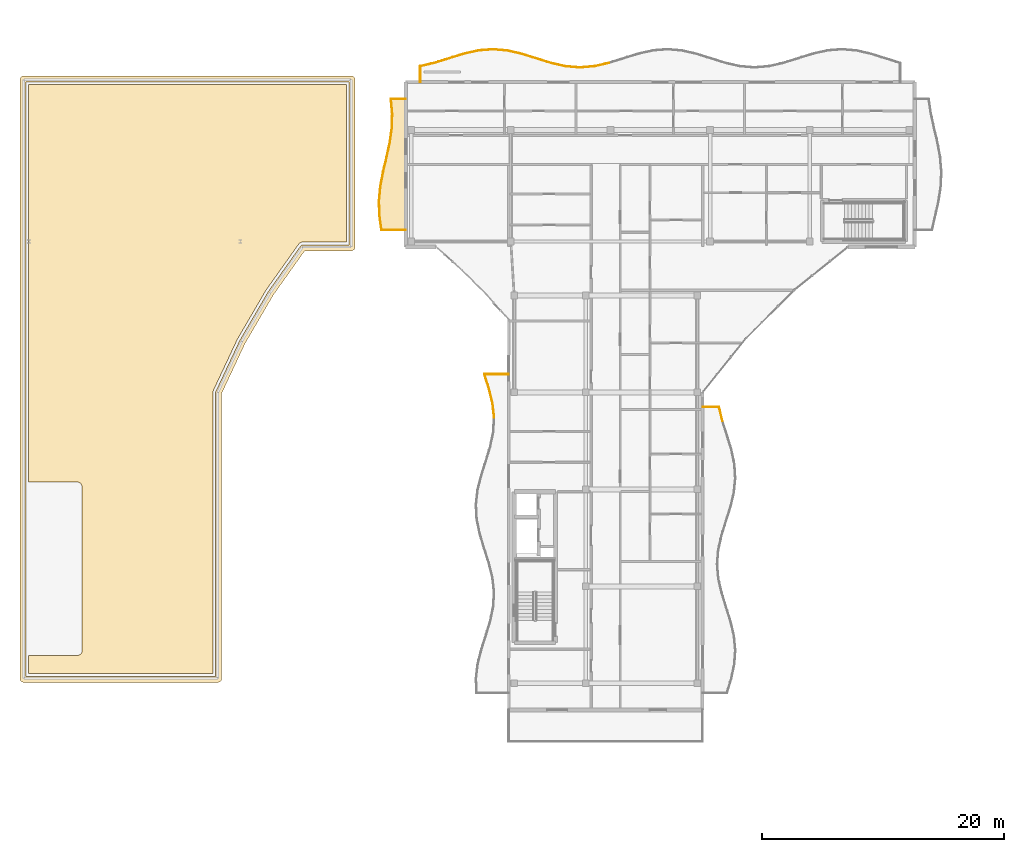
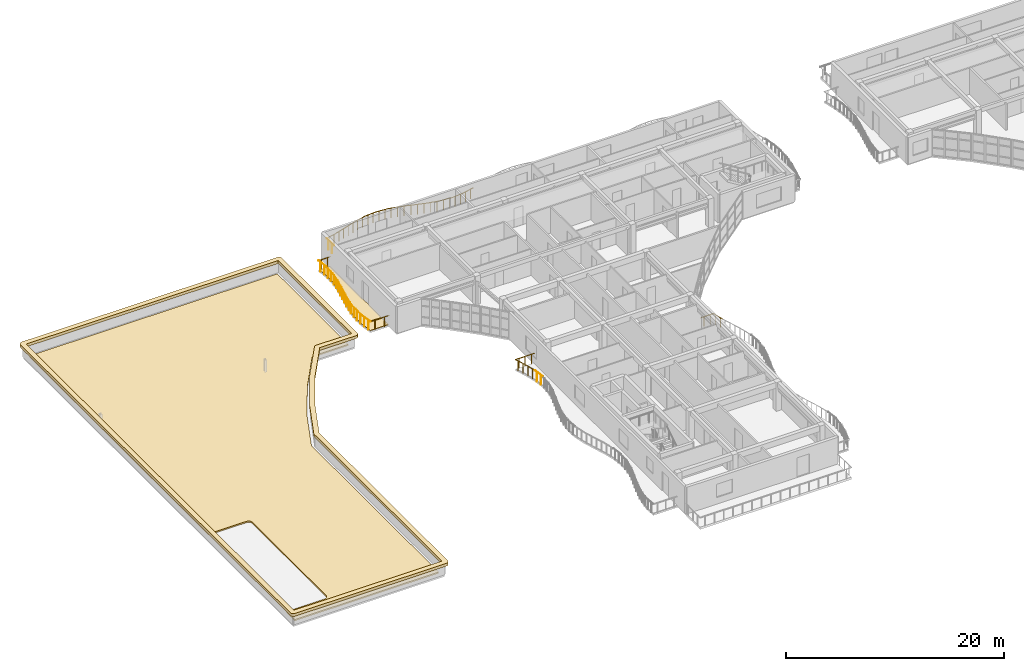
# One storey, part 42 of 54: 31 railings, 3 coverings.
"""IFC4 building model written with IfcOpenShell, lengths in metres."""

from ifc_helpers import new_model, si_unit, direction, frame, origin, origin_2d, place, context, subcontext, project, spatial, polyline, circle, outline, extrude, material, layer, layer_set, type_object, element, save


model = new_model("IFC4")

# Units and contexts
model_context = context("Model", 3, precision=1e-05, world=origin(), true_north=direction((0.0, 1.0)))
body_context = subcontext(model_context, "Body", "Model", "MODEL_VIEW")
ifc_project = project(units=[si_unit("LENGTHUNIT", "METRE"), si_unit("AREAUNIT", "SQUARE_METRE"), si_unit("VOLUMEUNIT", "CUBIC_METRE"), si_unit("PLANEANGLEUNIT", "RADIAN"), si_unit("MASSUNIT", "GRAM", prefix="KILO")], contexts=[model_context])

# Site, building, storey
site_placement = place(None, origin())
site = spatial("IfcSite", under=ifc_project, at=site_placement, CompositionType="ELEMENT")
building_placement = place(site_placement, origin())
building = spatial("IfcBuilding", under=site, at=building_placement, Name="Keldmere Railside Commons", CompositionType="ELEMENT")
storey_placement = place(building_placement, frame((0.0, 0.0, 26.56005859375)))
storey = spatial("IfcBuildingStorey", under=building, at=storey_placement, Name="L08", CompositionType="ELEMENT", Elevation=26.56005859375)

# Railings
ifc_material_1 = material(Name="Steel F-24 (S235)", Category="steel")
railing_type = type_object("IfcRailingType", Name="Balcony & Terrace Steel Balustrade 1100", PredefinedType="BALUSTRADE", material=ifc_material_1)
railing_1_placement = place(storey_placement, frame((40.699951171875, 113.60009765625, 0.0)))
element("IfcRailing", 1, at=railing_1_placement, inside=storey, type_object=railing_type, Name="GR-1 GRD-L08-1637", PredefinedType="BALUSTRADE", context=body_context, shape_type="SweptSolid", body=[
    extrude(circle(Radius=0.02392578125, at=origin_2d()), frame((0.0, 0.0, 1.076171875), z_axis=(0.0, 1.0, 0.0), x_axis=(-1.0, 0.0, 0.0)), (0.0, 0.0, 1.0), 1.3056640625),
    extrude(circle(Radius=0.02099609375, at=origin_2d()), frame((0.0, 0.326416015625, 0.0)), (0.0, 0.0, 1.0), 1.048095703125),
    extrude(circle(Radius=0.02099609375, at=origin_2d()), frame((0.0, 0.979248046875, 0.0)), (0.0, 0.0, 1.0), 1.048095703125),
])
railing_2_placement = place(storey_placement, frame((40.699951171875, 114.90576171875, 0.0)))
element("IfcRailing", 2, at=railing_2_placement, inside=storey, type_object=railing_type, Name="GR-1 GRD-L08-1638", PredefinedType="BALUSTRADE", context=body_context, shape_type="SweptSolid", body=[
    extrude(circle(Radius=0.02392578125, at=origin_2d()), frame((0.0, 0.0, 1.076171875), z_axis=(0.974140060528, 0.22594499878, 0.0), x_axis=(-0.22594499878, 0.974140060528, 0.0)), (0.0, 0.0, 1.0), 1.231689453125),
    extrude(circle(Radius=0.02099609375, at=origin_2d()), frame((0.300048828125, 0.069580078125, 0.0)), (0.0, 0.0, 1.0), 1.048095703125),
    extrude(circle(Radius=0.02099609375, at=origin_2d()), frame((0.89990234375, 0.208740234375, 0.0)), (0.0, 0.0, 1.0), 1.048095703125),
])
railing_3_placement = place(storey_placement, frame((41.89990234375, 115.18408203125, 0.0)))
element("IfcRailing", 3, at=railing_3_placement, inside=storey, type_object=railing_type, Name="GR-1 GRD-L08-1639", PredefinedType="BALUSTRADE", context=body_context, shape_type="SweptSolid", body=[
    extrude(circle(Radius=0.02392578125, at=origin_2d()), frame((0.0, 0.0, 1.076171875), z_axis=(0.954161704015, 0.299291567858, 0.0), x_axis=(-0.299291567858, 0.954161704015, 0.0)), (0.0, 0.0, 1.0), 1.2578125),
    extrude(circle(Radius=0.02099609375, at=origin_2d()), frame((0.300048828125, 0.09423828125, 0.0)), (0.0, 0.0, 1.0), 1.048095703125),
    extrude(circle(Radius=0.02099609375, at=origin_2d()), frame((0.900146484375, 0.2822265625, 0.0)), (0.0, 0.0, 1.0), 1.048095703125),
])
railing_4_placement = place(storey_placement, frame((43.10009765625, 115.560546875, 0.0)))
element("IfcRailing", 4, at=railing_4_placement, inside=storey, type_object=railing_type, Name="GR-1 GRD-L08-1640", PredefinedType="BALUSTRADE", context=body_context, shape_type="SweptSolid", body=[
    extrude(circle(Radius=0.02392578125, at=origin_2d()), frame((0.0, 0.0, 1.076171875), z_axis=(0.954807781872, 0.297223989067, 0.0), x_axis=(-0.297223989067, 0.954807781872, 0.0)), (0.0, 0.0, 1.0), 1.2568359375),
    extrude(circle(Radius=0.02099609375, at=origin_2d()), frame((0.300048828125, 0.09326171875, 0.0)), (0.0, 0.0, 1.0), 1.048095703125),
    extrude(circle(Radius=0.02099609375, at=origin_2d()), frame((0.89990234375, 0.2802734375, 0.0)), (0.0, 0.0, 1.0), 1.048095703125),
])
railing_5_placement = place(storey_placement, frame((44.300048828125, 115.93408203125, 0.0)))
element("IfcRailing", 5, at=railing_5_placement, inside=storey, type_object=railing_type, Name="GR-1 GRD-L08-1641", PredefinedType="BALUSTRADE", context=body_context, shape_type="SweptSolid", body=[
    extrude(circle(Radius=0.02392578125, at=origin_2d()), frame((0.0, 0.0, 1.076171875), z_axis=(0.975519348897, 0.219913619243, 0.0), x_axis=(-0.219913619243, 0.975519348897, 0.0)), (0.0, 0.0, 1.0), 1.22998046875),
    extrude(circle(Radius=0.02099609375, at=origin_2d()), frame((0.300048828125, 0.067626953125, 0.0)), (0.0, 0.0, 1.0), 1.048095703125),
    extrude(circle(Radius=0.02099609375, at=origin_2d()), frame((0.89990234375, 0.202880859375, 0.0)), (0.0, 0.0, 1.0), 1.048095703125),
])
railing_6_placement = place(storey_placement, frame((45.5, 116.20458984375, 0.0)))
element("IfcRailing", 6, at=railing_6_placement, inside=storey, type_object=railing_type, Name="GR-1 GRD-L08-1642", PredefinedType="BALUSTRADE", context=body_context, shape_type="SweptSolid", body=[
    extrude(circle(Radius=0.02392578125, at=origin_2d()), frame((0.0, 0.0, 1.076171875), z_axis=(0.996866661985, 0.079100304817, 0.0), x_axis=(-0.079100304817, 0.996866661985, 0.0)), (0.0, 0.0, 1.0), 1.20361328125),
    extrude(circle(Radius=0.02099609375, at=origin_2d()), frame((0.300048828125, 0.02392578125, 0.0)), (0.0, 0.0, 1.0), 1.048095703125),
    extrude(circle(Radius=0.02099609375, at=origin_2d()), frame((0.89990234375, 0.0712890625, 0.0)), (0.0, 0.0, 1.0), 1.048095703125),
])
railing_7_placement = place(storey_placement, frame((46.699951171875, 116.2998046875, 0.0)))
element("IfcRailing", 7, at=railing_7_placement, inside=storey, type_object=railing_type, Name="GR-1 GRD-L08-1643", PredefinedType="BALUSTRADE", context=body_context, shape_type="SweptSolid", body=[
    extrude(circle(Radius=0.02392578125, at=origin_2d()), frame((0.0, 0.0, 1.076171875), z_axis=(0.996141844593, -0.08775776576, 0.0), x_axis=(0.08775776576, 0.996141844593, 0.0)), (0.0, 0.0, 1.0), 1.20458984375),
    extrude(circle(Radius=0.02099609375, at=origin_2d()), frame((0.300048828125, -0.0263671875, 0.0)), (0.0, 0.0, 1.0), 1.048095703125),
    extrude(circle(Radius=0.02099609375, at=origin_2d()), frame((0.89990234375, -0.079345703125, 0.0)), (0.0, 0.0, 1.0), 1.048095703125),
])
railing_8_placement = place(storey_placement, frame((47.89990234375, 116.194091796875, 0.0)))
element("IfcRailing", 8, at=railing_8_placement, inside=storey, type_object=railing_type, Name="GR-1 GRD-L08-1644", PredefinedType="BALUSTRADE", context=body_context, shape_type="SweptSolid", body=[
    extrude(circle(Radius=0.02392578125, at=origin_2d()), frame((0.0, 0.0, 1.076171875), z_axis=(0.974193766865, -0.225713323934, 0.0), x_axis=(0.225713323934, 0.974193766865, 0.0)), (0.0, 0.0, 1.0), 1.23193359375),
    extrude(circle(Radius=0.02099609375, at=origin_2d()), frame((0.300048828125, -0.069580078125, 0.0)), (0.0, 0.0, 1.0), 1.048095703125),
    extrude(circle(Radius=0.02099609375, at=origin_2d()), frame((0.900146484375, -0.20849609375, 0.0)), (0.0, 0.0, 1.0), 1.048095703125),
])
railing_9_placement = place(storey_placement, frame((49.10009765625, 115.916015625, 0.0)))
element("IfcRailing", 9, at=railing_9_placement, inside=storey, type_object=railing_type, Name="GR-1 GRD-L08-1645", PredefinedType="BALUSTRADE", context=body_context, shape_type="SweptSolid", body=[
    extrude(circle(Radius=0.02392578125, at=origin_2d()), frame((0.0, 0.0, 1.076171875), z_axis=(0.954144313208, -0.299347005283, 0.0), x_axis=(0.299347005283, 0.954144313208, 0.0)), (0.0, 0.0, 1.0), 1.257568359375),
    extrude(circle(Radius=0.02099609375, at=origin_2d()), frame((0.300048828125, -0.09423828125, 0.0)), (0.0, 0.0, 1.0), 1.048095703125),
    extrude(circle(Radius=0.02099609375, at=origin_2d()), frame((0.89990234375, -0.2822265625, 0.0)), (0.0, 0.0, 1.0), 1.048095703125),
])
railing_10_placement = place(storey_placement, frame((50.300048828125, 115.53955078125, 0.0)))
element("IfcRailing", 10, at=railing_10_placement, inside=storey, type_object=railing_type, Name="GR-1 GRD-L08-1646", PredefinedType="BALUSTRADE", context=body_context, shape_type="SweptSolid", body=[
    extrude(circle(Radius=0.02392578125, at=origin_2d()), frame((0.0, 0.0, 1.076171875), z_axis=(0.954807781872, -0.297223989067, 0.0), x_axis=(0.297223989067, 0.954807781872, 0.0)), (0.0, 0.0, 1.0), 1.2568359375),
    extrude(circle(Radius=0.02099609375, at=origin_2d()), frame((0.300048828125, -0.09326171875, 0.0)), (0.0, 0.0, 1.0), 1.048095703125),
    extrude(circle(Radius=0.02099609375, at=origin_2d()), frame((0.89990234375, -0.2802734375, 0.0)), (0.0, 0.0, 1.0), 1.048095703125),
])
railing_11_placement = place(storey_placement, frame((51.5, 115.166015625, 0.0)))
element("IfcRailing", 11, at=railing_11_placement, inside=storey, type_object=railing_type, Name="GR-1 GRD-L08-1647", PredefinedType="BALUSTRADE", context=body_context, shape_type="SweptSolid", body=[
    extrude(circle(Radius=0.02392578125, at=origin_2d()), frame((0.0, 0.0, 1.076171875), z_axis=(0.97547675299, -0.220102486076, 0.0), x_axis=(0.220102486076, 0.97547675299, 0.0)), (0.0, 0.0, 1.0), 1.230224609375),
    extrude(circle(Radius=0.02099609375, at=origin_2d()), frame((0.300048828125, -0.067626953125, 0.0)), (0.0, 0.0, 1.0), 1.048095703125),
    extrude(circle(Radius=0.02099609375, at=origin_2d()), frame((0.89990234375, -0.203125, 0.0)), (0.0, 0.0, 1.0), 1.048095703125),
])
railing_12_placement = place(storey_placement, frame((52.699951171875, 114.895263671875, 0.0)))
element("IfcRailing", 12, at=railing_12_placement, inside=storey, type_object=railing_type, Name="GR-1 GRD-L08-1648", PredefinedType="BALUSTRADE", context=body_context, shape_type="SweptSolid", body=[
    extrude(circle(Radius=0.02392578125, at=origin_2d()), frame((0.0, 0.0, 1.076171875), z_axis=(0.996866661985, -0.079100304817, 0.0), x_axis=(0.079100304817, 0.996866661985, 0.0)), (0.0, 0.0, 1.0), 1.20361328125),
    extrude(circle(Radius=0.02099609375, at=origin_2d()), frame((0.300048828125, -0.02392578125, 0.0)), (0.0, 0.0, 1.0), 1.048095703125),
    extrude(circle(Radius=0.02099609375, at=origin_2d()), frame((0.89990234375, -0.0712890625, 0.0)), (0.0, 0.0, 1.0), 1.048095703125),
])
railing_13_placement = place(storey_placement, frame((53.89990234375, 114.800048828125, 0.0)))
element("IfcRailing", 13, at=railing_13_placement, inside=storey, type_object=railing_type, Name="GR-1 GRD-L08-1649", PredefinedType="BALUSTRADE", context=body_context, shape_type="SweptSolid", body=[
    extrude(circle(Radius=0.02392578125, at=origin_2d()), frame((0.0, 0.0, 1.076171875), z_axis=(0.996143404998, 0.087740051742, 0.0), x_axis=(-0.087740051742, 0.996143404998, 0.0)), (0.0, 0.0, 1.0), 1.204833984375),
    extrude(circle(Radius=0.02099609375, at=origin_2d()), frame((0.300048828125, 0.0263671875, 0.0)), (0.0, 0.0, 1.0), 1.048095703125),
    extrude(circle(Radius=0.02099609375, at=origin_2d()), frame((0.900146484375, 0.079345703125, 0.0)), (0.0, 0.0, 1.0), 1.048095703125),
])
railing_14_placement = place(storey_placement, frame((55.10009765625, 114.90576171875, 0.0)))
element("IfcRailing", 14, at=railing_14_placement, inside=storey, type_object=railing_type, Name="GR-1 GRD-L08-1650", PredefinedType="BALUSTRADE", context=body_context, shape_type="SweptSolid", body=[
    extrude(circle(Radius=0.02392578125, at=origin_2d()), frame((0.0, 0.0, 1.076171875), z_axis=(0.974140060528, 0.22594499878, 0.0), x_axis=(-0.22594499878, 0.974140060528, 0.0)), (0.0, 0.0, 1.0), 1.231689453125),
    extrude(circle(Radius=0.02099609375, at=origin_2d()), frame((0.300048828125, 0.069580078125, 0.0)), (0.0, 0.0, 1.0), 1.048095703125),
    extrude(circle(Radius=0.02099609375, at=origin_2d()), frame((0.89990234375, 0.208740234375, 0.0)), (0.0, 0.0, 1.0), 1.048095703125),
])
railing_15_placement = place(storey_placement, frame((65.64111328125, 85.6201171875, 0.0)))
element("IfcRailing", 15, at=railing_15_placement, inside=storey, type_object=railing_type, Name="GR-1 GRD-L08-1692", PredefinedType="BALUSTRADE", context=body_context, shape_type="SweptSolid", body=[
    extrude(circle(Radius=0.02392578125, at=origin_2d()), frame((0.0, 0.0, 1.076171875), z_axis=(-0.243810240423, 0.969822956351, 0.0), x_axis=(-0.969822956351, -0.243810240423, 0.0)), (0.0, 0.0, 1.0), 1.216552734375),
    extrude(circle(Radius=0.02099609375, at=origin_2d()), frame((-0.07421875, 0.294921875, 0.0)), (0.0, 0.0, 1.0), 1.048095703125),
    extrude(circle(Radius=0.02099609375, at=origin_2d()), frame((-0.222412109375, 0.885009765625, 0.0)), (0.0, 0.0, 1.0), 1.048095703125),
])
railing_16_placement = place(storey_placement, frame((65.344482421875, 86.800048828125, 0.0)))
element("IfcRailing", 16, at=railing_16_placement, inside=storey, type_object=railing_type, Name="GR-1 GRD-L08-1693", PredefinedType="BALUSTRADE", context=body_context, shape_type="SweptSolid", body=[
    extrude(circle(Radius=0.02392578125, at=origin_2d()), frame((0.0, 0.0, 1.076171875), z_axis=(-1.0, 0.0, 0.0), x_axis=(0.0, -1.0, 0.0)), (0.0, 0.0, 1.0), 1.344482421875),
    extrude(circle(Radius=0.02099609375, at=origin_2d()), frame((-0.336181640625, 0.0, 0.0)), (0.0, 0.0, 1.0), 1.048095703125),
    extrude(circle(Radius=0.02099609375, at=origin_2d()), frame((-1.00830078125, 0.0, 0.0)), (0.0, 0.0, 1.0), 1.048095703125),
])
railing_17_placement = place(storey_placement, frame((46.797607421875, 85.91357421875, 0.0)))
element("IfcRailing", 17, at=railing_17_placement, inside=storey, type_object=railing_type, Name="GR-1 GRD-L08-1714", PredefinedType="BALUSTRADE", context=body_context, shape_type="SweptSolid", body=[
    extrude(circle(Radius=0.02392578125, at=origin_2d()), frame((0.0, 0.0, 1.076171875), z_axis=(-0.108203115049, 0.994128807496, 0.0), x_axis=(-0.994128807496, -0.108203115049, 0.0)), (0.0, 0.0, 1.0), 1.20263671875),
    extrude(circle(Radius=0.02099609375, at=origin_2d()), frame((-0.032470703125, 0.298828125, 0.0)), (0.0, 0.0, 1.0), 1.048095703125),
    extrude(circle(Radius=0.02099609375, at=origin_2d()), frame((-0.09765625, 0.896728515625, 0.0)), (0.0, 0.0, 1.0), 1.048095703125),
])
railing_18_placement = place(storey_placement, frame((46.66748046875, 87.109130859375, 0.0)))
element("IfcRailing", 18, at=railing_18_placement, inside=storey, type_object=railing_type, Name="GR-1 GRD-L08-1715", PredefinedType="BALUSTRADE", context=body_context, shape_type="SweptSolid", body=[
    extrude(circle(Radius=0.02392578125, at=origin_2d()), frame((0.0, 0.0, 1.076171875), z_axis=(-0.238987400978, 0.971022668208, 0.0), x_axis=(-0.971022668208, -0.238987400978, 0.0)), (0.0, 0.0, 1.0), 1.23095703125),
    extrude(circle(Radius=0.02099609375, at=origin_2d()), frame((-0.073486328125, 0.298828125, 0.0)), (0.0, 0.0, 1.0), 1.048095703125),
    extrude(circle(Radius=0.02099609375, at=origin_2d()), frame((-0.220703125, 0.896484375, 0.0)), (0.0, 0.0, 1.0), 1.048095703125),
])
railing_19_placement = place(storey_placement, frame((46.373291015625, 88.304443359375, 0.0)))
element("IfcRailing", 19, at=railing_19_placement, inside=storey, type_object=railing_type, Name="GR-1 GRD-L08-1716", PredefinedType="BALUSTRADE", context=body_context, shape_type="SweptSolid", body=[
    extrude(circle(Radius=0.02392578125, at=origin_2d()), frame((0.0, 0.0, 1.076171875), z_axis=(-0.303002836741, 0.952989654155, 0.0), x_axis=(-0.952989654155, -0.303002836741, 0.0)), (0.0, 0.0, 1.0), 1.254638671875),
    extrude(circle(Radius=0.02099609375, at=origin_2d()), frame((-0.094970703125, 0.298828125, 0.0)), (0.0, 0.0, 1.0), 1.048095703125),
    extrude(circle(Radius=0.02099609375, at=origin_2d()), frame((-0.28515625, 0.896728515625, 0.0)), (0.0, 0.0, 1.0), 1.048095703125),
])
railing_20_placement = place(storey_placement, frame((45.9931640625, 89.5, 0.0)))
element("IfcRailing", 20, at=railing_20_placement, inside=storey, type_object=railing_type, Name="GR-1 GRD-L08-1717", PredefinedType="BALUSTRADE", context=body_context, shape_type="SweptSolid", body=[
    extrude(circle(Radius=0.02392578125, at=origin_2d()), frame((0.0, 0.0, 1.076171875), z_axis=(1.0, 0.0, 0.0), x_axis=(0.0, 1.0, 0.0)), (0.0, 0.0, 1.0), 2.0068359375),
    extrude(circle(Radius=0.02099609375, at=origin_2d()), frame((0.33447265625, 0.0, 0.0)), (0.0, 0.0, 1.0), 1.048095703125),
    extrude(circle(Radius=0.02099609375, at=origin_2d()), frame((1.00341796875, 0.0, 0.0)), (0.0, 0.0, 1.0), 1.048095703125),
    extrude(circle(Radius=0.02099609375, at=origin_2d()), frame((1.67236328125, 0.0, 0.0)), (0.0, 0.0, 1.0), 1.048095703125),
])
railing_21_placement = place(storey_placement, frame((39.5, 101.39990234375, 0.0)))
element("IfcRailing", 21, at=railing_21_placement, inside=storey, type_object=railing_type, Name="GR-1 GRD-L08-1729", PredefinedType="BALUSTRADE", context=body_context, shape_type="SweptSolid", body=[
    extrude(circle(Radius=0.02392578125, at=origin_2d()), frame((0.0, 0.0, 1.076171875), z_axis=(-1.0, 0.0, 0.0), x_axis=(0.0, -1.0, 0.0)), (0.0, 0.0, 1.0), 1.990234375),
    extrude(circle(Radius=0.02099609375, at=origin_2d()), frame((-0.49755859375, 0.0, 0.0)), (0.0, 0.0, 1.0), 1.048095703125),
    extrude(circle(Radius=0.02099609375, at=origin_2d()), frame((-1.49267578125, 0.0, 0.0)), (0.0, 0.0, 1.0), 1.048095703125),
])
railing_22_placement = place(storey_placement, frame((37.509765625, 101.39990234375, 0.0)))
element("IfcRailing", 22, at=railing_22_placement, inside=storey, type_object=railing_type, Name="GR-1 GRD-L08-1730", PredefinedType="BALUSTRADE", context=body_context, shape_type="SweptSolid", body=[
    extrude(circle(Radius=0.02392578125, at=origin_2d()), frame((0.0, 0.0, 1.076171875), z_axis=(-0.140575435231, 0.990069970765, 0.0), x_axis=(-0.990069970765, -0.140575435231, 0.0)), (0.0, 0.0, 1.0), 1.212158203125),
    extrude(circle(Radius=0.02099609375, at=origin_2d()), frame((-0.04248046875, 0.300048828125, 0.0)), (0.0, 0.0, 1.0), 1.048095703125),
    extrude(circle(Radius=0.02099609375, at=origin_2d()), frame((-0.1279296875, 0.900146484375, 0.0)), (0.0, 0.0, 1.0), 1.048095703125),
])
railing_23_placement = place(storey_placement, frame((37.33935546875, 102.60009765625, 0.0)))
element("IfcRailing", 23, at=railing_23_placement, inside=storey, type_object=railing_type, Name="GR-1 GRD-L08-1731", PredefinedType="BALUSTRADE", context=body_context, shape_type="SweptSolid", body=[
    extrude(circle(Radius=0.02392578125, at=origin_2d()), frame((0.0, 0.0, 1.076171875), z_axis=(-0.02806625371, 0.999606065109, 0.0), x_axis=(-0.999606065109, -0.02806625371, 0.0)), (0.0, 0.0, 1.0), 1.200439453125),
    extrude(circle(Radius=0.02099609375, at=origin_2d()), frame((-0.00830078125, 0.300048828125, 0.0)), (0.0, 0.0, 1.0), 1.048095703125),
    extrude(circle(Radius=0.02099609375, at=origin_2d()), frame((-0.025390625, 0.89990234375, 0.0)), (0.0, 0.0, 1.0), 1.048095703125),
])
railing_24_placement = place(storey_placement, frame((37.3056640625, 103.800048828125, 0.0)))
element("IfcRailing", 24, at=railing_24_placement, inside=storey, type_object=railing_type, Name="GR-1 GRD-L08-1732", PredefinedType="BALUSTRADE", context=body_context, shape_type="SweptSolid", body=[
    extrude(circle(Radius=0.02392578125, at=origin_2d()), frame((0.0, 0.0, 1.076171875), z_axis=(0.092983005579, 0.995667695907, 0.0), x_axis=(-0.995667695907, 0.092983005579, 0.0)), (0.0, 0.0, 1.0), 1.205078125),
    extrude(circle(Radius=0.02099609375, at=origin_2d()), frame((0.028076171875, 0.300048828125, 0.0)), (0.0, 0.0, 1.0), 1.048095703125),
    extrude(circle(Radius=0.02099609375, at=origin_2d()), frame((0.083984375, 0.89990234375, 0.0)), (0.0, 0.0, 1.0), 1.048095703125),
])
railing_25_placement = place(storey_placement, frame((37.417724609375, 105.0, 0.0)))
element("IfcRailing", 25, at=railing_25_placement, inside=storey, type_object=railing_type, Name="GR-1 GRD-L08-1733", PredefinedType="BALUSTRADE", context=body_context, shape_type="SweptSolid", body=[
    extrude(circle(Radius=0.02392578125, at=origin_2d()), frame((0.0, 0.0, 1.076171875), z_axis=(0.186689583361, 0.982418953128, 0.0), x_axis=(-0.982418953128, 0.186689583361, 0.0)), (0.0, 0.0, 1.0), 1.221435546875),
    extrude(circle(Radius=0.02099609375, at=origin_2d()), frame((0.05712890625, 0.300048828125, 0.0)), (0.0, 0.0, 1.0), 1.048095703125),
    extrude(circle(Radius=0.02099609375, at=origin_2d()), frame((0.1708984375, 0.89990234375, 0.0)), (0.0, 0.0, 1.0), 1.048095703125),
])
railing_26_placement = place(storey_placement, frame((37.645751953125, 106.199951171875, 0.0)))
element("IfcRailing", 26, at=railing_26_placement, inside=storey, type_object=railing_type, Name="GR-1 GRD-L08-1734", PredefinedType="BALUSTRADE", context=body_context, shape_type="SweptSolid", body=[
    extrude(circle(Radius=0.02392578125, at=origin_2d()), frame((0.0, 0.0, 1.076171875), z_axis=(0.22932631443, 0.973349598813, 0.0), x_axis=(-0.973349598813, 0.22932631443, 0.0)), (0.0, 0.0, 1.0), 1.23291015625),
    extrude(circle(Radius=0.02099609375, at=origin_2d()), frame((0.07080078125, 0.300048828125, 0.0)), (0.0, 0.0, 1.0), 1.048095703125),
    extrude(circle(Radius=0.02099609375, at=origin_2d()), frame((0.2119140625, 0.89990234375, 0.0)), (0.0, 0.0, 1.0), 1.048095703125),
])
railing_27_placement = place(storey_placement, frame((37.928466796875, 107.39990234375, 0.0)))
element("IfcRailing", 27, at=railing_27_placement, inside=storey, type_object=railing_type, Name="GR-1 GRD-L08-1735", PredefinedType="BALUSTRADE", context=body_context, shape_type="SweptSolid", body=[
    extrude(circle(Radius=0.02392578125, at=origin_2d()), frame((0.0, 0.0, 1.076171875), z_axis=(0.213056693745, 0.977039838108, 0.0), x_axis=(-0.977039838108, 0.213056693745, 0.0)), (0.0, 0.0, 1.0), 1.228515625),
    extrude(circle(Radius=0.02099609375, at=origin_2d()), frame((0.0654296875, 0.300048828125, 0.0)), (0.0, 0.0, 1.0), 1.048095703125),
    extrude(circle(Radius=0.02099609375, at=origin_2d()), frame((0.1962890625, 0.900146484375, 0.0)), (0.0, 0.0, 1.0), 1.048095703125),
])
railing_28_placement = place(storey_placement, frame((38.190185546875, 108.60009765625, 0.0)))
element("IfcRailing", 28, at=railing_28_placement, inside=storey, type_object=railing_type, Name="GR-1 GRD-L08-1736", PredefinedType="BALUSTRADE", context=body_context, shape_type="SweptSolid", body=[
    extrude(circle(Radius=0.02392578125, at=origin_2d()), frame((0.0, 0.0, 1.076171875), z_axis=(0.140603471167, 0.990065989667, 0.0), x_axis=(-0.990065989667, 0.140603471167, 0.0)), (0.0, 0.0, 1.0), 1.2119140625),
    extrude(circle(Radius=0.02099609375, at=origin_2d()), frame((0.04248046875, 0.300048828125, 0.0)), (0.0, 0.0, 1.0), 1.048095703125),
    extrude(circle(Radius=0.02099609375, at=origin_2d()), frame((0.1279296875, 0.89990234375, 0.0)), (0.0, 0.0, 1.0), 1.048095703125),
])
railing_29_placement = place(storey_placement, frame((38.360595703125, 109.800048828125, 0.0)))
element("IfcRailing", 29, at=railing_29_placement, inside=storey, type_object=railing_type, Name="GR-1 GRD-L08-1737", PredefinedType="BALUSTRADE", context=body_context, shape_type="SweptSolid", body=[
    extrude(circle(Radius=0.02392578125, at=origin_2d()), frame((0.0, 0.0, 1.076171875), z_axis=(0.02806625371, 0.999606065109, 0.0), x_axis=(-0.999606065109, 0.02806625371, 0.0)), (0.0, 0.0, 1.0), 1.200439453125),
    extrude(circle(Radius=0.02099609375, at=origin_2d()), frame((0.00830078125, 0.300048828125, 0.0)), (0.0, 0.0, 1.0), 1.048095703125),
    extrude(circle(Radius=0.02099609375, at=origin_2d()), frame((0.025390625, 0.89990234375, 0.0)), (0.0, 0.0, 1.0), 1.048095703125),
])
railing_30_placement = place(storey_placement, frame((38.394287109375, 111.0, 0.0)))
element("IfcRailing", 30, at=railing_30_placement, inside=storey, type_object=railing_type, Name="GR-1 GRD-L08-1738", PredefinedType="BALUSTRADE", context=body_context, shape_type="SweptSolid", body=[
    extrude(circle(Radius=0.02392578125, at=origin_2d()), frame((0.0, 0.0, 1.076171875), z_axis=(-0.092983005579, 0.995667695907, 0.0), x_axis=(-0.995667695907, -0.092983005579, 0.0)), (0.0, 0.0, 1.0), 1.205078125),
    extrude(circle(Radius=0.02099609375, at=origin_2d()), frame((-0.028076171875, 0.300048828125, 0.0)), (0.0, 0.0, 1.0), 1.048095703125),
    extrude(circle(Radius=0.02099609375, at=origin_2d()), frame((-0.083984375, 0.89990234375, 0.0)), (0.0, 0.0, 1.0), 1.048095703125),
])
railing_31_placement = place(storey_placement, frame((38.2822265625, 112.199951171875, 0.0)))
element("IfcRailing", 31, at=railing_31_placement, inside=storey, type_object=railing_type, Name="GR-1 GRD-L08-1739", PredefinedType="BALUSTRADE", context=body_context, shape_type="SweptSolid", body=[
    extrude(circle(Radius=0.02392578125, at=origin_2d()), frame((0.0, 0.0, 1.076171875), z_axis=(1.0, 0.0, 0.0), x_axis=(0.0, 1.0, 0.0)), (0.0, 0.0, 1.0), 1.2177734375),
    extrude(circle(Radius=0.02099609375, at=origin_2d()), frame((0.304443359375, 0.0, 0.0)), (0.0, 0.0, 1.0), 1.048095703125),
    extrude(circle(Radius=0.02099609375, at=origin_2d()), frame((0.913330078125, 0.0, 0.0)), (0.0, 0.0, 1.0), 1.048095703125),
])

# Coverings
ifc_material_2 = material(Name="Native Planted Green-Roof Substrate", Category="earth")
ifc_layer_1 = layer(ifc_material_2, 0.14990234375, Name="Native Green-Roof Planted Substrate 150")
ifc_layer_set_1 = layer_set([ifc_layer_1], Name="Native Planted Green-Roof Substrate")
covering_type_1 = type_object("IfcCoveringType", Name="Native Green-Roof Planted Substrate 150", PredefinedType="ROOFING", material=ifc_layer_set_1)
covering_1_placement = place(storey_placement, origin())
element("IfcCovering", 32, at=covering_1_placement, inside=storey, type_object=covering_type_1, Name="Roof Green Substrate Block D", PredefinedType="ROOFING", context=body_context, shape_type="SweptSolid", body=[
    extrude(outline(polyline([(8.39990234375, 80.60009765625), (12.39990234375, 80.60009765625), (12.439208984375, 80.59814453125), (12.47802734375, 80.59228515625), (12.51611328125, 80.582763671875), (12.552978515625, 80.569580078125), (12.588623046875, 80.552734375), (12.622314453125, 80.53271484375), (12.65380859375, 80.50927734375), (12.682861328125, 80.48291015625), (12.709228515625, 80.453857421875), (12.732666015625, 80.422119140625), (12.752685546875, 80.388671875), (12.76953125, 80.35302734375), (12.78271484375, 80.316162109375), (12.792236328125, 80.278076171875), (12.798095703125, 80.2392578125), (12.800048828125, 80.199951171875), (12.800048828125, 66.699951171875), (12.798095703125, 66.660888671875), (12.792236328125, 66.6220703125), (12.78271484375, 66.583984375), (12.76953125, 66.546875), (12.752685546875, 66.511474609375), (12.732666015625, 66.477783203125), (12.709228515625, 66.4462890625), (12.682861328125, 66.417236328125), (12.65380859375, 66.390869140625), (12.622314453125, 66.367431640625), (12.588623046875, 66.34716796875), (12.552978515625, 66.330322265625), (12.51611328125, 66.317138671875), (12.47802734375, 66.3076171875), (12.439208984375, 66.302001953125), (12.39990234375, 66.300048828125), (8.39990234375, 66.300048828125), (8.39990234375, 64.800048828125), (23.60009765625, 64.800048828125), (23.60009765625, 88.0), (23.602294921875, 88.043701171875), (23.609619140625, 88.0869140625), (23.62158203125, 88.129150390625), (23.637939453125, 88.169921875), (25.60986328125, 92.372802734375), (25.62646484375, 92.404541015625), (27.966552734375, 96.41552734375), (27.98583984375, 96.445556640625), (30.673828125, 100.231689453125), (30.697509765625, 100.26171875), (30.7236328125, 100.289306640625), (30.75244140625, 100.314208984375), (30.783447265625, 100.336181640625), (30.81640625, 100.35546875), (30.85107421875, 100.371337890625), (30.88720703125, 100.3837890625), (30.92431640625, 100.392822265625), (30.9619140625, 100.398193359375), (31.0, 100.39990234375), (34.60009765625, 100.39990234375), (34.60009765625, 113.39990234375), (8.39990234375, 113.39990234375), (8.39990234375, 80.60009765625)])), origin(), (0.0, 0.0, 1.0), 0.14990234375),
])
ifc_material_3 = material(Name="White Precast Concrete C35/45", Category="concrete")
ifc_layer_2 = layer(ifc_material_3, 0.280029296875, Name="Postmodern Stepped Precast Cornice Band 280")
ifc_layer_set_2 = layer_set([ifc_layer_2], Name="White Precast Concrete C35/45")
covering_type_2 = type_object("IfcCoveringType", Name="Postmodern Stepped Precast Cornice Band 280", PredefinedType="CLADDING", material=ifc_layer_set_2)
covering_2_placement = place(storey_placement, frame((0.0, 0.0, 1.099853515625)))
element("IfcCovering", 33, at=covering_2_placement, inside=storey, type_object=covering_type_2, Name="CRN-1 Postmodern Crown Cornice Block D", PredefinedType="CLADDING", context=body_context, shape_type="SweptSolid", body=[
    extrude(outline(polyline([(7.679931640625, 113.800048828125), (7.681396484375, 113.831298828125), (7.68603515625, 113.8623046875), (7.69384765625, 113.892822265625), (7.704345703125, 113.922607421875), (7.7177734375, 113.95068359375), (7.73388671875, 113.977783203125), (7.752685546875, 114.0029296875), (7.773681640625, 114.0263671875), (7.797119140625, 114.04736328125), (7.822265625, 114.066162109375), (7.84912109375, 114.082275390625), (7.87744140625, 114.095703125), (7.906982421875, 114.106201171875), (7.9375, 114.114013671875), (7.968505859375, 114.118408203125), (8.0, 114.1201171875), (35.0, 114.1201171875), (35.031494140625, 114.118408203125), (35.0625, 114.114013671875), (35.093017578125, 114.106201171875), (35.12255859375, 114.095703125), (35.15087890625, 114.082275390625), (35.177734375, 114.066162109375), (35.202880859375, 114.04736328125), (35.226318359375, 114.0263671875), (35.247314453125, 114.0029296875), (35.26611328125, 113.977783203125), (35.2822265625, 113.95068359375), (35.295654296875, 113.922607421875), (35.30615234375, 113.892822265625), (35.31396484375, 113.8623046875), (35.318603515625, 113.831298828125), (35.320068359375, 113.800048828125), (35.320068359375, 100.0), (35.318603515625, 99.968505859375), (35.31396484375, 99.9375), (35.30615234375, 99.906982421875), (35.295654296875, 99.87744140625), (35.2822265625, 99.84912109375), (35.26611328125, 99.822265625), (35.247314453125, 99.797119140625), (35.226318359375, 99.773681640625), (35.202880859375, 99.752685546875), (35.177734375, 99.73388671875), (35.15087890625, 99.7177734375), (35.12255859375, 99.704345703125), (35.093017578125, 99.69384765625), (35.0625, 99.68603515625), (35.031494140625, 99.681396484375), (35.0, 99.679931640625), (31.165283203125, 99.679931640625), (28.581298828125, 96.040283203125), (26.255615234375, 92.05419921875), (24.320068359375, 87.9287109375), (24.320068359375, 64.39990234375), (24.318603515625, 64.36865234375), (24.31396484375, 64.337646484375), (24.30615234375, 64.30712890625), (24.295654296875, 64.277587890625), (24.2822265625, 64.249267578125), (24.26611328125, 64.22216796875), (24.247314453125, 64.197021484375), (24.226318359375, 64.173583984375), (24.202880859375, 64.152587890625), (24.177734375, 64.1337890625), (24.15087890625, 64.117919921875), (24.12255859375, 64.1044921875), (24.093017578125, 64.09375), (24.0625, 64.086181640625), (24.031494140625, 64.08154296875), (24.0, 64.080078125), (8.0, 64.080078125), (7.968505859375, 64.08154296875), (7.9375, 64.086181640625), (7.906982421875, 64.09375), (7.87744140625, 64.1044921875), (7.84912109375, 64.117919921875), (7.822265625, 64.1337890625), (7.797119140625, 64.152587890625), (7.773681640625, 64.173583984375), (7.752685546875, 64.197021484375), (7.73388671875, 64.22216796875), (7.7177734375, 64.249267578125), (7.704345703125, 64.277587890625), (7.69384765625, 64.30712890625), (7.68603515625, 64.337646484375), (7.681396484375, 64.36865234375), (7.679931640625, 64.39990234375), (7.679931640625, 113.800048828125)]), holes=[polyline([(8.179931640625, 64.580078125), (8.179931640625, 113.6201171875), (34.820068359375, 113.6201171875), (34.820068359375, 100.179931640625), (31.0, 100.179931640625), (30.98291015625, 100.17919921875), (30.9658203125, 100.1767578125), (30.94921875, 100.172607421875), (30.93310546875, 100.1669921875), (30.91748046875, 100.159912109375), (30.902587890625, 100.1513671875), (30.888671875, 100.141357421875), (30.87548828125, 100.130126953125), (30.86376953125, 100.11767578125), (30.853271484375, 100.104248046875), (28.165283203125, 96.318115234375), (28.156494140625, 96.3046875), (25.81640625, 92.293701171875), (25.80908203125, 92.279541015625), (23.8369140625, 88.076416015625), (23.82958984375, 88.05810546875), (23.82421875, 88.039306640625), (23.821044921875, 88.019775390625), (23.820068359375, 88.0), (23.820068359375, 64.580078125), (8.179931640625, 64.580078125)])]), origin(), (0.0, 0.0, 1.0), 0.320068359375),
])
ifc_layer_3 = layer(ifc_material_3, 0.044921875, Name="White Architectural Balcony Ribbon Cladding 45")
ifc_layer_set_3 = layer_set([ifc_layer_3], Name="White Precast Concrete C35/45")
covering_type_3 = type_object("IfcCoveringType", Name="White Architectural Balcony Ribbon Cladding 45", PredefinedType="FLOORING", material=ifc_layer_set_3)
covering_3_placement = place(storey_placement, origin())
element("IfcCovering", 34, at=covering_3_placement, inside=storey, type_object=covering_type_3, Name="CLG-WB C L08 WW White Balcony Ribbon", PredefinedType="FLOORING", context=body_context, shape_type="SweptSolid", body=[
    extrude(outline(polyline([(39.4599609375, 112.159912109375), (38.326171875, 112.159912109375), (38.43408203125, 111.003662109375), (38.434326171875, 110.998779296875), (38.400634765625, 109.798828125), (38.400390625, 109.79443359375), (38.229736328125, 108.594482421875), (38.229248046875, 108.591552734375), (37.967529296875, 107.3916015625), (37.96728515625, 107.390869140625), (37.684814453125, 106.191650390625), (37.45751953125, 104.994384765625), (37.345703125, 103.798583984375), (37.379150390625, 102.603515625), (37.54443359375, 101.43994140625), (39.4599609375, 101.43994140625), (39.4599609375, 112.159912109375)])), origin(), (0.0, 0.0, 1.0), 0.044921875),
])

save(model, "model.ifc")
